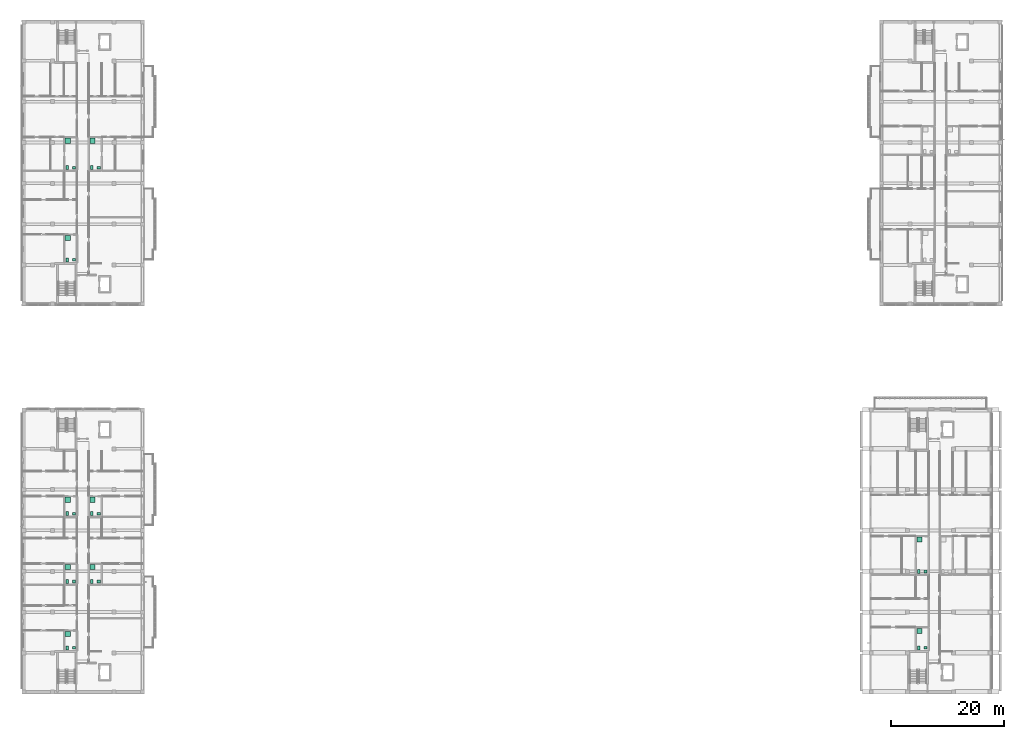
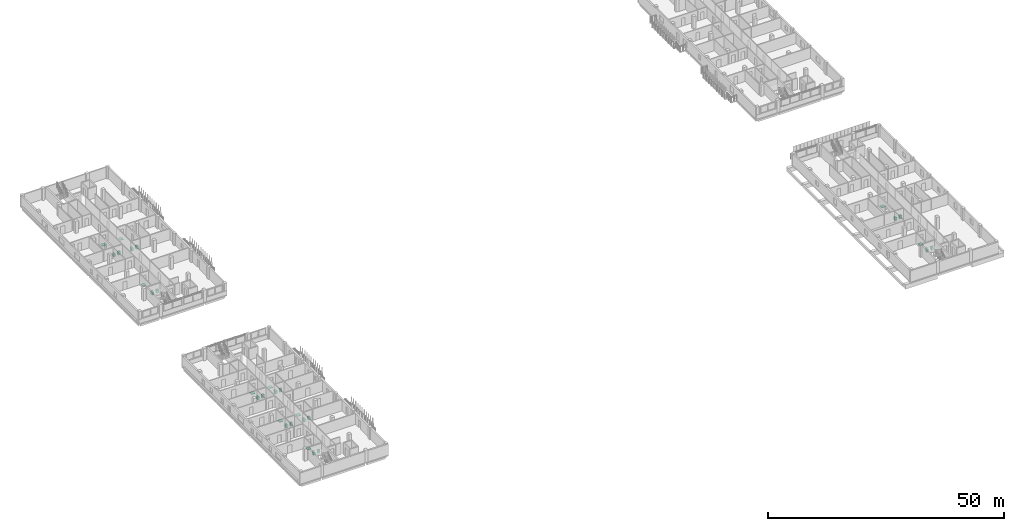
# One storey, part 50 of 51: 30 sanitary terminals.
"""IFC4 building model written with IfcOpenShell, lengths in metres."""

from ifc_helpers import new_model, si_unit, derived_unit, direction, frame, origin, origin_2d, place, context, subcontext, project, spatial, rectangle, extrude, material, type_object, element, save


model = new_model("IFC4")

# Units and contexts
model_context = context("Model", 3, precision=1e-05, world=origin(), true_north=direction((0.0, 1.0)))
body_context = subcontext(model_context, "Body", "Model", "MODEL_VIEW")
ifc_project = project(units=[si_unit("LENGTHUNIT", "METRE"), si_unit("AREAUNIT", "SQUARE_METRE"), si_unit("VOLUMEUNIT", "CUBIC_METRE"), si_unit("PLANEANGLEUNIT", "RADIAN"), si_unit("MASSUNIT", "GRAM", prefix="KILO"), derived_unit("THERMALTRANSMITTANCEUNIT", [(si_unit("MASSUNIT", "GRAM", prefix="KILO"), 1), (si_unit("TIMEUNIT", "SECOND"), -3), (si_unit("THERMODYNAMICTEMPERATUREUNIT", "KELVIN"), -1)])], contexts=[model_context])

# Site, building, storey
site_placement = place(None, origin())
site = spatial("IfcSite", under=ifc_project, at=site_placement, CompositionType="ELEMENT")
building_placement = place(site_placement, origin())
building = spatial("IfcBuilding", under=site, at=building_placement, Name="Ochrekiln Boulevard Commons", CompositionType="ELEMENT")
storey_placement = place(building_placement, frame((0.0, 0.0, 18.375)))
storey = spatial("IfcBuildingStorey", under=building, at=storey_placement, Name="L05", CompositionType="ELEMENT", Elevation=18.375)

# Sanitary terminals
ifc_material = material(Name="Vitreous china sanitaryware")
sanitary_terminal_type_1 = type_object("IfcSanitaryTerminalType", Name="SAN-BAS", PredefinedType="WASHHANDBASIN", material=ifc_material)
for number, where, z_axis, x_axis, name in (
    (1, (9.169921875, 76.5, 0.0), (0.0, 0.0, 1.0), (1.0, 0.0, 0.0), "L05 Washhand Basin Fixture"),
    (2, (9.169921875, 92.781982421875, 0.0), (0.0, 0.0, 1.0), (1.0, 0.0, 0.0), "L05 Washhand Basin Fixture"),
    (3, (13.530029296875, 92.781982421875, 0.0), (0.0, 0.0, 1.0), (1.0, 0.0, 0.0), "L05 Washhand Basin Fixture"),
    (4, (159.320068359375, 8.10009765625, 0.0), (0.0, 0.0, 1.0), (1.0, 0.0, 0.0), "L05 Washhand Basin Fixture"),
    (5, (159.320068359375, 21.56591796875, 0.0), (0.0, 0.0, 1.0), (1.0, 0.0, 0.0), "L05 Washhand Basin Fixture"),
    (6, (9.169921875, 8.10009765625, 0.0), (0.0, 0.0, 1.0), (1.0, 0.0, 0.0), "L05 Washhand Basin Fixture"),
    (7, (9.169921875, 19.805908203125, 0.0), (0.0, 0.0, 1.0), (1.0, 0.0, 0.0), "L05 Washhand Basin Fixture"),
    (8, (9.169921875, 31.77392578125, 0.0), (0.0, 0.0, 1.0), (1.0, 0.0, 0.0), "L05 Washhand Basin Fixture"),
    (9, (13.530029296875, 19.805908203125, 0.0), (0.0, 0.0, 1.0), (1.0, 0.0, 0.0), "L05 Washhand Basin Fixture"),
    (10, (13.530029296875, 31.77392578125, 0.0), (0.0, 0.0, 1.0), (1.0, 0.0, 0.0), "L05 Washhand Basin Fixture"),
):
    element("IfcSanitaryTerminal", number, at=place(storey_placement, frame(where, z_axis=z_axis, x_axis=x_axis)), inside=storey, type_object=sanitary_terminal_type_1, Name=name, PredefinedType="WASHHANDBASIN", context=body_context, shape_type="SweptSolid", body=[
        extrude(rectangle(XDim=0.550048828125, YDim=0.4599609375, at=origin_2d()), origin(), (0.0, 0.0, 1.0), 0.840087890625),
    ])
sanitary_terminal_type_2 = type_object("IfcSanitaryTerminalType", Name="SAN-SHW", PredefinedType="SHOWER", material=ifc_material)
for number, where, z_axis, x_axis, name in (
    (11, (8.070068359375, 80.362060546875, 0.0), (0.0, 0.0, 1.0), (1.0, 0.0, 0.0), "L05 Shower Receptor"),
    (12, (8.070068359375, 97.51708984375, 0.0), (0.0, 0.0, 1.0), (1.0, 0.0, 0.0), "L05 Shower Receptor"),
    (13, (12.429931640625, 97.51708984375, 0.0), (0.0, 0.0, 1.0), (1.0, 0.0, 0.0), "L05 Shower Receptor"),
    (14, (158.219970703125, 11.089111328125, 0.0), (0.0, 0.0, 1.0), (1.0, 0.0, 0.0), "L05 Shower Receptor"),
    (15, (158.219970703125, 27.174072265625, 0.0), (0.0, 0.0, 1.0), (1.0, 0.0, 0.0), "L05 Shower Receptor"),
    (16, (8.070068359375, 10.54296875, 0.0), (0.0, 0.0, 1.0), (1.0, 0.0, 0.0), "L05 Shower Receptor"),
    (17, (8.070068359375, 22.330078125, 0.0), (0.0, 0.0, 1.0), (1.0, 0.0, 0.0), "L05 Shower Receptor"),
    (18, (8.070068359375, 34.217041015625, 0.0), (0.0, 0.0, 1.0), (1.0, 0.0, 0.0), "L05 Shower Receptor"),
    (19, (12.429931640625, 22.330078125, 0.0), (0.0, 0.0, 1.0), (1.0, 0.0, 0.0), "L05 Shower Receptor"),
    (20, (12.429931640625, 34.217041015625, 0.0), (0.0, 0.0, 1.0), (1.0, 0.0, 0.0), "L05 Shower Receptor"),
):
    element("IfcSanitaryTerminal", number, at=place(storey_placement, frame(where, z_axis=z_axis, x_axis=x_axis)), inside=storey, type_object=sanitary_terminal_type_2, Name=name, PredefinedType="SHOWER", context=body_context, shape_type="SweptSolid", body=[
        extrude(rectangle(XDim=0.89990234375, YDim=0.89990234375, at=origin_2d()), origin(), (0.0, 0.0, 1.0), 0.1201171875),
    ])
sanitary_terminal_type_3 = type_object("IfcSanitaryTerminalType", Name="SAN-WC", PredefinedType="TOILETPAN", material=ifc_material)
for number, where, z_axis, x_axis, name in (
    (21, (7.969970703125, 76.5, 0.0), (0.0, 0.0, 1.0), (1.0, 0.0, 0.0), "L05 Water Closet Fixture"),
    (22, (7.969970703125, 92.781982421875, 0.0), (0.0, 0.0, 1.0), (1.0, 0.0, 0.0), "L05 Water Closet Fixture"),
    (23, (12.330078125, 92.781982421875, 0.0), (0.0, 0.0, 1.0), (1.0, 0.0, 0.0), "L05 Water Closet Fixture"),
    (24, (158.1201171875, 8.10009765625, 0.0), (0.0, 0.0, 1.0), (1.0, 0.0, 0.0), "L05 Water Closet Fixture"),
    (25, (158.1201171875, 21.56591796875, 0.0), (0.0, 0.0, 1.0), (1.0, 0.0, 0.0), "L05 Water Closet Fixture"),
    (26, (7.969970703125, 8.10009765625, 0.0), (0.0, 0.0, 1.0), (1.0, 0.0, 0.0), "L05 Water Closet Fixture"),
    (27, (7.969970703125, 19.805908203125, 0.0), (0.0, 0.0, 1.0), (1.0, 0.0, 0.0), "L05 Water Closet Fixture"),
    (28, (7.969970703125, 31.77392578125, 0.0), (0.0, 0.0, 1.0), (1.0, 0.0, 0.0), "L05 Water Closet Fixture"),
    (29, (12.330078125, 19.805908203125, 0.0), (0.0, 0.0, 1.0), (1.0, 0.0, 0.0), "L05 Water Closet Fixture"),
    (30, (12.330078125, 31.77392578125, 0.0), (0.0, 0.0, 1.0), (1.0, 0.0, 0.0), "L05 Water Closet Fixture"),
):
    element("IfcSanitaryTerminal", number, at=place(storey_placement, frame(where, z_axis=z_axis, x_axis=x_axis)), inside=storey, type_object=sanitary_terminal_type_3, Name=name, PredefinedType="TOILETPAN", context=body_context, shape_type="SweptSolid", body=[
        extrude(rectangle(XDim=0.419921875, YDim=0.679931640625, at=origin_2d()), origin(), (0.0, 0.0, 1.0), 0.780029296875),
    ])

save(model, "model.ifc")
